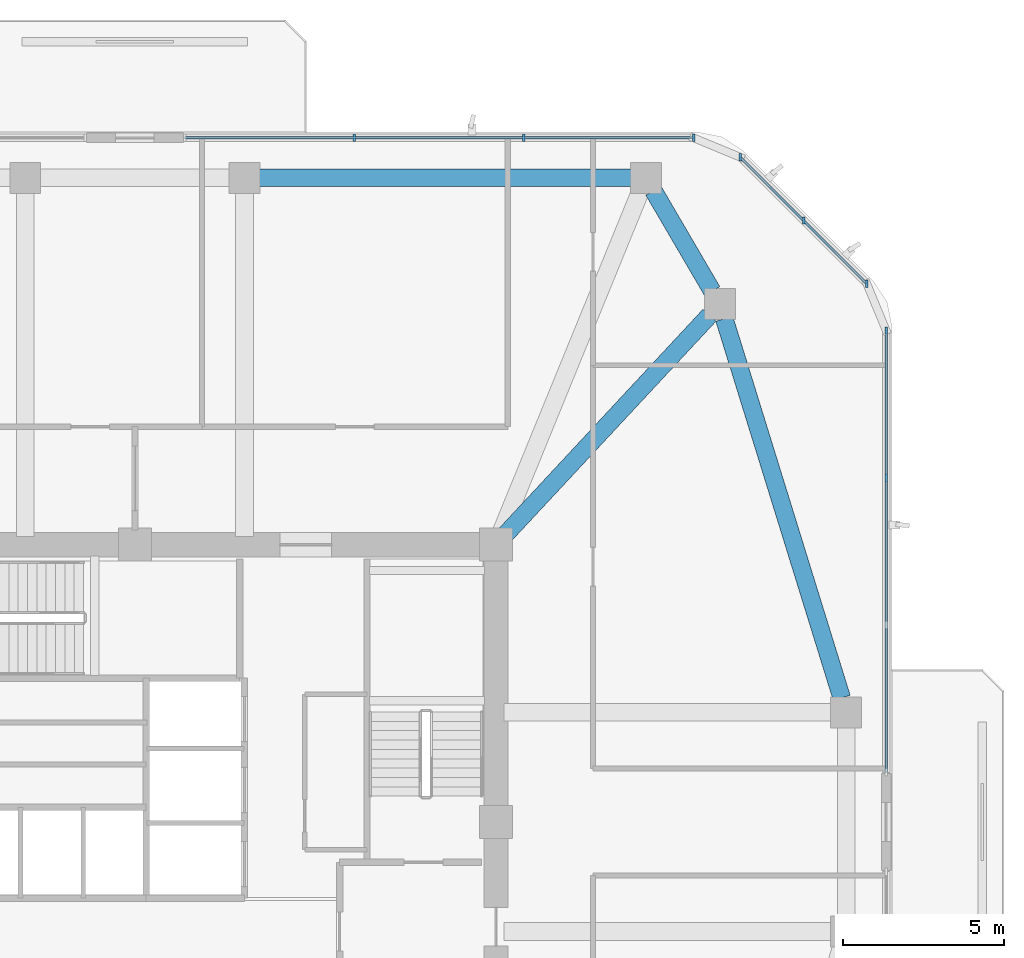
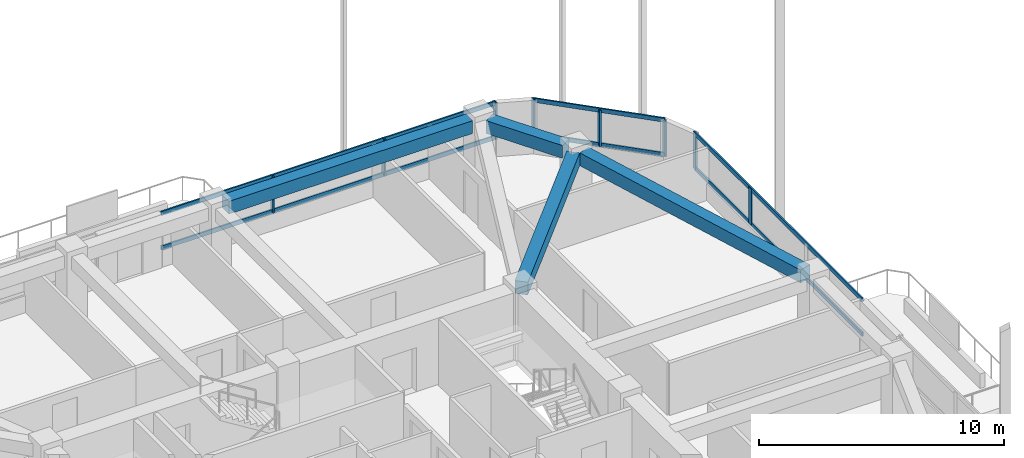
# One storey, part 6 of 14: 14 members, 4 beams, 3 elements without a shape of their own.
"""IFC4 building model written with IfcOpenShell, lengths in metres."""

from ifc_helpers import new_model, si_unit, derived_unit, direction, frame, origin, origin_2d, place, context, subcontext, project, spatial, rectangle, extrude, material, material_profile, profile_set, type_object, element, aggregate, save


model = new_model("IFC4")

# Units and contexts
model_context = context("Model", 3, precision=1e-05, world=origin(), true_north=direction((0.0, 1.0)))
body_context = subcontext(model_context, "Body", "Model", "MODEL_VIEW")
ifc_project = project(units=[si_unit("LENGTHUNIT", "METRE"), si_unit("AREAUNIT", "SQUARE_METRE"), si_unit("VOLUMEUNIT", "CUBIC_METRE"), si_unit("PLANEANGLEUNIT", "RADIAN"), si_unit("MASSUNIT", "GRAM", prefix="KILO"), derived_unit("THERMALTRANSMITTANCEUNIT", [(si_unit("POWERUNIT", "WATT"), 1), (si_unit("LENGTHUNIT", "METRE"), -2), (si_unit("THERMODYNAMICTEMPERATUREUNIT", "KELVIN"), -1)])], contexts=[model_context])

# Site, building, storey
site_placement = place(None, origin())
site = spatial("IfcSite", under=ifc_project, at=site_placement, CompositionType="ELEMENT")
building_placement = place(site_placement, origin())
building = spatial("IfcBuilding", under=site, at=building_placement, Name="Koralith Skygarden Medical Center", CompositionType="ELEMENT")
storey_placement = place(building_placement, frame((0.0, 0.0, 145.6201171875)))
storey = spatial("IfcBuildingStorey", under=building, at=storey_placement, Name="L37", CompositionType="ELEMENT", Elevation=145.6201171875)

# Curtain wall, members
ifc_material_1 = material(Name="Clear Laminated Glass", Category="glass")
curtain_wall_type = type_object("IfcCurtainWallType", Name="CW-4 Zone 3 Waist High-Wind Curtain Wall", PredefinedType="NOTDEFINED", material=ifc_material_1)
curtain_wall_1_placement = place(storey_placement, origin())
curtain_wall_1 = element("IfcCurtainWall", 1, at=curtain_wall_1_placement, inside=storey, type_object=curtain_wall_type, Name="Curtain Wall CW-L37-E-R", PredefinedType="NOTDEFINED")
ifc_material_2 = material(Name="Aluminium 6063-T6", Category="aluminium")
ifc_material_profile_1 = material_profile(ifc_material_2, rectangle(XDim=0.076904296875, YDim=0.22998046875, at=origin_2d()), Name="MUL77X230")
ifc_profile_set_1 = profile_set([ifc_material_profile_1], Name="Aluminium 6063-T6")
member_type_1 = type_object("IfcMemberType", Name="CW-4 Extruded Mullion 77x230", PredefinedType="MULLION", material=ifc_profile_set_1)
member_1_placement = place(storey_placement, frame((60.303955078125, 36.576904296875, 0.849853515625), z_axis=(0.0, 0.0, 1.0), x_axis=(1.0, 0.0, 0.0)))
member_1 = element("IfcMember", 2, at=member_1_placement, type_object=member_type_1, Name="CW-L37-E-R Mullion 3", PredefinedType="MULLION", context=body_context, shape_type="SweptSolid", body=[
    extrude(rectangle(XDim=0.076904296875, YDim=0.22998046875, at=origin_2d()), origin(), (0.0, 0.0, 1.0), 1.820068359375),
])
member_2_placement = place(storey_placement, frame((60.303955078125, 41.14501953125, 0.849853515625), z_axis=(0.0, 0.0, 1.0), x_axis=(1.0, 0.0, 0.0)))
member_2 = element("IfcMember", 3, at=member_2_placement, type_object=member_type_1, Name="CW-L37-E-R Mullion 4", PredefinedType="MULLION", context=body_context, shape_type="SweptSolid", body=[
    extrude(rectangle(XDim=0.076904296875, YDim=0.22998046875, at=origin_2d()), origin(), (0.0, 0.0, 1.0), 1.820068359375),
])

curtain_wall_2_placement = place(storey_placement, origin())
curtain_wall_2 = element("IfcCurtainWall", 4, at=curtain_wall_2_placement, inside=storey, type_object=curtain_wall_type, Name="Curtain Wall CW-L37-NE", PredefinedType="NOTDEFINED")
member_3_placement = place(storey_placement, frame((59.702880859375, 42.595947265625, 0.849853515625), z_axis=(0.0, 0.0, 1.0), x_axis=(1.0, 0.0, 0.0)))
member_3 = element("IfcMember", 5, at=member_3_placement, type_object=member_type_1, Name="CW-L37-NE Mullion 1", PredefinedType="MULLION", context=body_context, shape_type="SweptSolid", body=[
    extrude(rectangle(XDim=0.076904296875, YDim=0.22998046875, at=origin_2d()), origin(), (0.0, 0.0, 1.0), 1.820068359375),
])
member_4_placement = place(storey_placement, frame((57.741943359375, 44.556884765625, 0.849853515625), z_axis=(0.0, 0.0, 1.0), x_axis=(1.0, 0.0, 0.0)))
member_4 = element("IfcMember", 6, at=member_4_placement, type_object=member_type_1, Name="CW-L37-NE Mullion 2", PredefinedType="MULLION", context=body_context, shape_type="SweptSolid", body=[
    extrude(rectangle(XDim=0.076904296875, YDim=0.22998046875, at=origin_2d()), origin(), (0.0, 0.0, 1.0), 1.820068359375),
])
member_5_placement = place(storey_placement, frame((55.780029296875, 46.51904296875, 0.849853515625), z_axis=(0.0, 0.0, 1.0), x_axis=(1.0, 0.0, 0.0)))
member_5 = element("IfcMember", 7, at=member_5_placement, type_object=member_type_1, Name="CW-L37-NE Mullion 3", PredefinedType="MULLION", context=body_context, shape_type="SweptSolid", body=[
    extrude(rectangle(XDim=0.076904296875, YDim=0.22998046875, at=origin_2d()), origin(), (0.0, 0.0, 1.0), 1.820068359375),
])

curtain_wall_3_placement = place(storey_placement, origin())
curtain_wall_3 = element("IfcCurtainWall", 8, at=curtain_wall_3_placement, inside=storey, type_object=curtain_wall_type, Name="Curtain Wall CW-L37-N-L", PredefinedType="NOTDEFINED")
member_6_placement = place(storey_placement, frame((54.3291015625, 47.1201171875, 0.849853515625), z_axis=(0.0, 0.0, 1.0), x_axis=(1.0, 0.0, 0.0)))
member_6 = element("IfcMember", 9, at=member_6_placement, type_object=member_type_1, Name="CW-L37-N-L Mullion 1", PredefinedType="MULLION", context=body_context, shape_type="SweptSolid", body=[
    extrude(rectangle(XDim=0.076904296875, YDim=0.22998046875, at=origin_2d()), origin(), (0.0, 0.0, 1.0), 1.820068359375),
])
member_7_placement = place(storey_placement, frame((49.06591796875, 47.1201171875, 0.849853515625), z_axis=(0.0, 0.0, 1.0), x_axis=(1.0, 0.0, 0.0)))
member_7 = element("IfcMember", 10, at=member_7_placement, type_object=member_type_1, Name="CW-L37-N-L Mullion 2", PredefinedType="MULLION", context=body_context, shape_type="SweptSolid", body=[
    extrude(rectangle(XDim=0.076904296875, YDim=0.22998046875, at=origin_2d()), origin(), (0.0, 0.0, 1.0), 1.820068359375),
])
member_8_placement = place(storey_placement, frame((43.803955078125, 47.1201171875, 0.849853515625), z_axis=(0.0, 0.0, 1.0), x_axis=(1.0, 0.0, 0.0)))
member_8 = element("IfcMember", 11, at=member_8_placement, type_object=member_type_1, Name="CW-L37-N-L Mullion 3", PredefinedType="MULLION", context=body_context, shape_type="SweptSolid", body=[
    extrude(rectangle(XDim=0.076904296875, YDim=0.22998046875, at=origin_2d()), origin(), (0.0, 0.0, 1.0), 1.820068359375),
])

# Member
ifc_material_profile_2 = material_profile(ifc_material_2, rectangle(XDim=0.072021484375, YDim=0.20703125, at=origin_2d()), Name="TRN72X207")
ifc_profile_set_2 = profile_set([ifc_material_profile_2], Name="Aluminium 6063-T6")
member_type_2 = type_object("IfcMemberType", Name="CW-4 Thermal Transom 72x207", PredefinedType="USERDEFINED", material=ifc_profile_set_2)
member_9_placement = place(storey_placement, frame((60.303955078125, 27.43994140625, 0.89990234375), z_axis=(0.0, 1.0, 0.0), x_axis=(-1.0, 0.0, 0.0)))
member_9 = element("IfcMember", 12, at=member_9_placement, type_object=member_type_2, Name="CW-L37-E-R Transom 1", ObjectType="TRANSOM", PredefinedType="USERDEFINED", context=body_context, shape_type="SweptSolid", body=[
    extrude(rectangle(XDim=0.072021484375, YDim=0.20703125, at=origin_2d()), origin(), (0.0, 0.0, 1.0), 13.705078125),
])

member_10_placement = place(storey_placement, frame((60.303955078125, 27.43994140625, 2.619873046875), z_axis=(0.0, 1.0, 0.0), x_axis=(-1.0, 0.0, 0.0)))
member_10 = element("IfcMember", 13, at=member_10_placement, type_object=member_type_2, Name="CW-L37-E-R Transom 2", ObjectType="TRANSOM", PredefinedType="USERDEFINED", context=body_context, shape_type="SweptSolid", body=[
    extrude(rectangle(XDim=0.072021484375, YDim=0.20703125, at=origin_2d()), origin(), (0.0, 0.0, 1.0), 13.705078125),
])

aggregate(curtain_wall_1, [member_1, member_2, member_9, member_10])

member_11_placement = place(storey_placement, frame((59.702880859375, 42.595947265625, 0.89990234375), z_axis=(-0.707084777957, 0.707128783731, 0.0), x_axis=(-0.707128783731, -0.707084777957, 0.0)))
member_11 = element("IfcMember", 14, at=member_11_placement, type_object=member_type_2, Name="CW-L37-NE Transom 1", ObjectType="TRANSOM", PredefinedType="USERDEFINED", context=body_context, shape_type="SweptSolid", body=[
    extrude(rectangle(XDim=0.072021484375, YDim=0.20703125, at=origin_2d()), origin(), (0.0, 0.0, 1.0), 5.5478515625),
])

member_12_placement = place(storey_placement, frame((59.702880859375, 42.595947265625, 2.619873046875), z_axis=(-0.707084777957, 0.707128783731, 0.0), x_axis=(-0.707128783731, -0.707084777957, 0.0)))
member_12 = element("IfcMember", 15, at=member_12_placement, type_object=member_type_2, Name="CW-L37-NE Transom 2", ObjectType="TRANSOM", PredefinedType="USERDEFINED", context=body_context, shape_type="SweptSolid", body=[
    extrude(rectangle(XDim=0.072021484375, YDim=0.20703125, at=origin_2d()), origin(), (0.0, 0.0, 1.0), 5.5478515625),
])

aggregate(curtain_wall_2, [member_3, member_4, member_5, member_11, member_12])

member_13_placement = place(storey_placement, frame((54.3291015625, 47.1201171875, 0.89990234375), z_axis=(-1.0, 0.0, 0.0), x_axis=(0.0, -1.0, 0.0)))
member_13 = element("IfcMember", 16, at=member_13_placement, type_object=member_type_2, Name="CW-L37-N-L Transom 1", ObjectType="TRANSOM", PredefinedType="USERDEFINED", context=body_context, shape_type="SweptSolid", body=[
    extrude(rectangle(XDim=0.072021484375, YDim=0.20703125, at=origin_2d()), origin(), (0.0, 0.0, 1.0), 15.7880859375),
])

member_14_placement = place(storey_placement, frame((54.3291015625, 47.1201171875, 2.619873046875), z_axis=(-1.0, 0.0, 0.0), x_axis=(0.0, -1.0, 0.0)))
member_14 = element("IfcMember", 17, at=member_14_placement, type_object=member_type_2, Name="CW-L37-N-L Transom 2", ObjectType="TRANSOM", PredefinedType="USERDEFINED", context=body_context, shape_type="SweptSolid", body=[
    extrude(rectangle(XDim=0.072021484375, YDim=0.20703125, at=origin_2d()), origin(), (0.0, 0.0, 1.0), 15.7880859375),
])

aggregate(curtain_wall_3, [member_6, member_7, member_8, member_13, member_14])

# Beams
ifc_material_3 = material(Name="Concrete C45/55", Category="concrete")
ifc_material_profile_3 = material_profile(ifc_material_3, rectangle(XDim=0.550048828125, YDim=0.639892578125, at=origin_2d()), Name="RCB550X640")
ifc_profile_set_3 = profile_set([ifc_material_profile_3], Name="Concrete C45/55")
beam_type_1 = type_object("IfcBeamType", Name="Radial Collector Beam RCB550X640", PredefinedType="BEAM", material=ifc_profile_set_3)
beam_1_placement = place(storey_placement, frame((48.3701171875, 34.68310546875, 3.0), z_axis=(0.681369011591, 0.731940072713, 0.0), x_axis=(-0.731940072713, 0.681369011591, 0.0)))
element("IfcBeam", 18, at=beam_1_placement, inside=storey, type_object=beam_type_1, Name="L37 Radial Collector Beam RB-10", PredefinedType="BEAM", context=body_context, shape_type="SweptSolid", body=[
    extrude(rectangle(XDim=0.550048828125, YDim=0.639892578125, at=origin_2d()), origin(), (0.0, 0.0, 1.0), 9.471923828125),
])
ifc_material_profile_4 = material_profile(ifc_material_3, rectangle(XDim=0.550048828125, YDim=0.639892578125, at=origin_2d()), Name="RCB550X640")
ifc_profile_set_4 = profile_set([ifc_material_profile_4], Name="Concrete C45/55")
beam_type_2 = type_object("IfcBeamType", Name="Zone 2-3 Spandrel Beam RCB550X640", PredefinedType="SPANDREL", material=ifc_profile_set_4)
beam_2_placement = place(storey_placement, frame((58.925048828125, 29.7490234375, 3.0), z_axis=(-0.295793585147, 0.955251880389, 0.0), x_axis=(-0.955251880389, -0.295793585147, 0.0)))
element("IfcBeam", 19, at=beam_2_placement, inside=storey, type_object=beam_type_2, Name="L37 Perimeter Spandrel Beam SP-09", PredefinedType="SPANDREL", context=body_context, shape_type="SweptSolid", body=[
    extrude(rectangle(XDim=0.550048828125, YDim=0.639892578125, at=origin_2d()), origin(), (0.0, 0.0, 1.0), 12.31298828125),
])
beam_3_placement = place(storey_placement, frame((54.906982421875, 42.365966796875, 3.0), z_axis=(-0.504861391295, 0.863200426077, 0.0), x_axis=(-0.863200426077, -0.504861391295, 0.0)))
element("IfcBeam", 20, at=beam_3_placement, inside=storey, type_object=beam_type_2, Name="L37 Perimeter Spandrel Beam SP-10", PredefinedType="SPANDREL", context=body_context, shape_type="SweptSolid", body=[
    extrude(rectangle(XDim=0.550048828125, YDim=0.639892578125, at=origin_2d()), origin(), (0.0, 0.0, 1.0), 3.600830078125),
])
beam_4_placement = place(storey_placement, frame((52.382080078125, 45.8798828125, 3.0), z_axis=(-1.0, 0.0, 0.0), x_axis=(0.0, -1.0, 0.0)))
element("IfcBeam", 21, at=beam_4_placement, inside=storey, type_object=beam_type_2, Name="L37 Perimeter Spandrel Beam SP-11", PredefinedType="SPANDREL", context=body_context, shape_type="SweptSolid", body=[
    extrude(rectangle(XDim=0.550048828125, YDim=0.639892578125, at=origin_2d()), origin(), (0.0, 0.0, 1.0), 11.511962890625),
])

save(model, "model.ifc")
